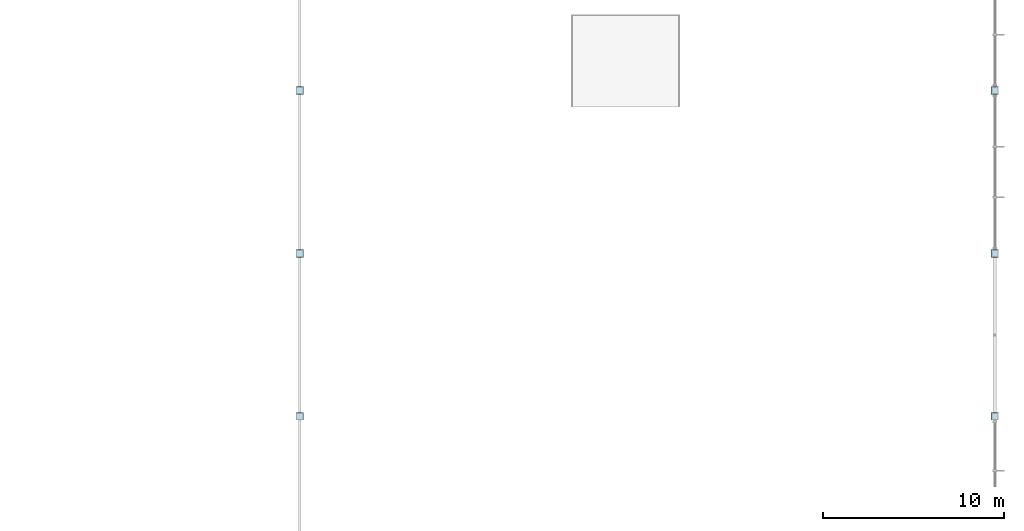
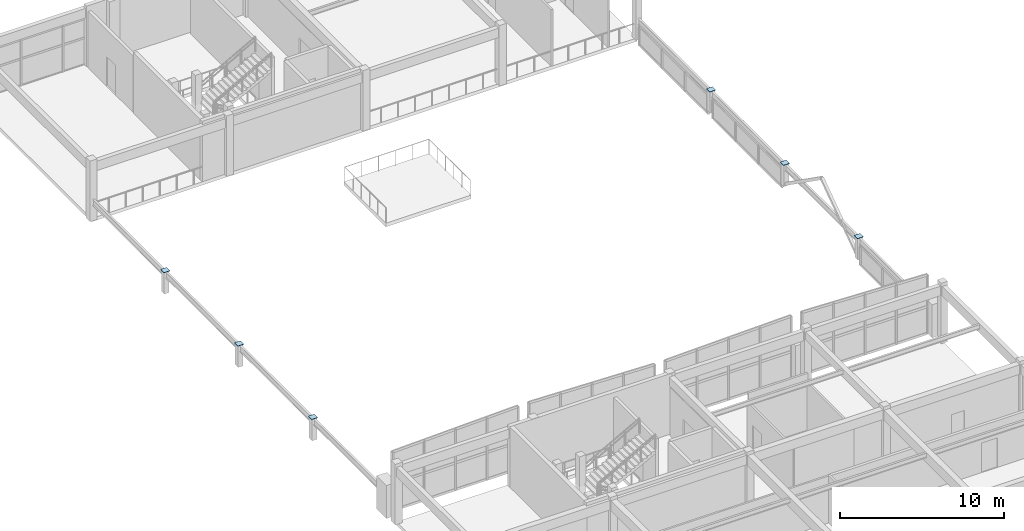
# One storey, part 65 of 89: 6 plates.
"""IFC4 building model written with IfcOpenShell, lengths in metres."""

from ifc_helpers import new_model, si_unit, direction, frame, origin, origin_2d, place, context, subcontext, project, spatial, rectangle, extrude, material, layer, layer_set, type_object, element, save


model = new_model("IFC4")

# Units and contexts
model_context = context("Model", 3, precision=1e-05, world=origin(), true_north=direction((0.0, 1.0)))
body_context = subcontext(model_context, "Body", "Model", "MODEL_VIEW")
ifc_project = project(units=[si_unit("LENGTHUNIT", "METRE"), si_unit("AREAUNIT", "SQUARE_METRE"), si_unit("VOLUMEUNIT", "CUBIC_METRE"), si_unit("PLANEANGLEUNIT", "RADIAN"), si_unit("MASSUNIT", "GRAM", prefix="KILO")], contexts=[model_context])

# Site, building, storey
site_placement = place(None, origin())
site = spatial("IfcSite", under=ifc_project, at=site_placement, CompositionType="ELEMENT")
building_placement = place(site_placement, origin())
building = spatial("IfcBuilding", under=site, at=building_placement, Name="Suirenkawa Promenade Aquatics Centre", CompositionType="ELEMENT")
storey_placement = place(building_placement, frame((0.0, 0.0, 9.60009765625)))
storey = spatial("IfcBuildingStorey", under=building, at=storey_placement, Name="L02", CompositionType="ELEMENT", Elevation=9.60009765625)

# Plates
ifc_material = material(Name="Steel IS 2062 E350 (Grade 350)", Category="steel")
ifc_layer = layer(ifc_material, 0.02392578125, Name="Steel IS 2062 E350 (Grade 350)", Category="steel")
ifc_layer_set = layer_set([ifc_layer], Name="Steel IS 2062 E350 (Grade 350)")
plate_type = type_object("IfcPlateType", Name="PLT-BEAR-450x450x24", PredefinedType="SHEET", material=ifc_layer_set)
for number, where, z_axis, x_axis, name in (
    (1, (156.0, 59.39990234375, 1.599853515625), (0.0, 0.0, 1.0), (1.0, 0.0, 0.0), "Truss node plate TN-03 PLG-0260"),
    (2, (156.0, 68.39990234375, 1.599853515625), (0.0, 0.0, 1.0), (1.0, 0.0, 0.0), "Truss node plate TN-03 PLG-0261"),
    (3, (156.0, 77.39990234375, 1.599853515625), (0.0, 0.0, 1.0), (1.0, 0.0, 0.0), "Truss node plate TN-03 PLG-0262"),
    (4, (194.39990234375, 59.39990234375, 1.599853515625), (0.0, 0.0, 1.0), (1.0, 0.0, 0.0), "Truss node plate TN-03 PLG-0263"),
    (5, (194.39990234375, 68.39990234375, 1.599853515625), (0.0, 0.0, 1.0), (1.0, 0.0, 0.0), "Truss node plate TN-03 PLG-0264"),
    (6, (194.39990234375, 77.39990234375, 1.599853515625), (0.0, 0.0, 1.0), (1.0, 0.0, 0.0), "Truss node plate TN-03 PLG-0265"),
):
    element("IfcPlate", number, at=place(storey_placement, frame(where, z_axis=z_axis, x_axis=x_axis)), inside=storey, type_object=plate_type, Name=name, PredefinedType="SHEET", context=body_context, shape_type="SweptSolid", body=[
        extrude(rectangle(XDim=0.419921875, YDim=0.419921875, at=origin_2d()), origin(), (0.0, 0.0, 1.0), 0.02392578125),
    ])

save(model, "model.ifc")
